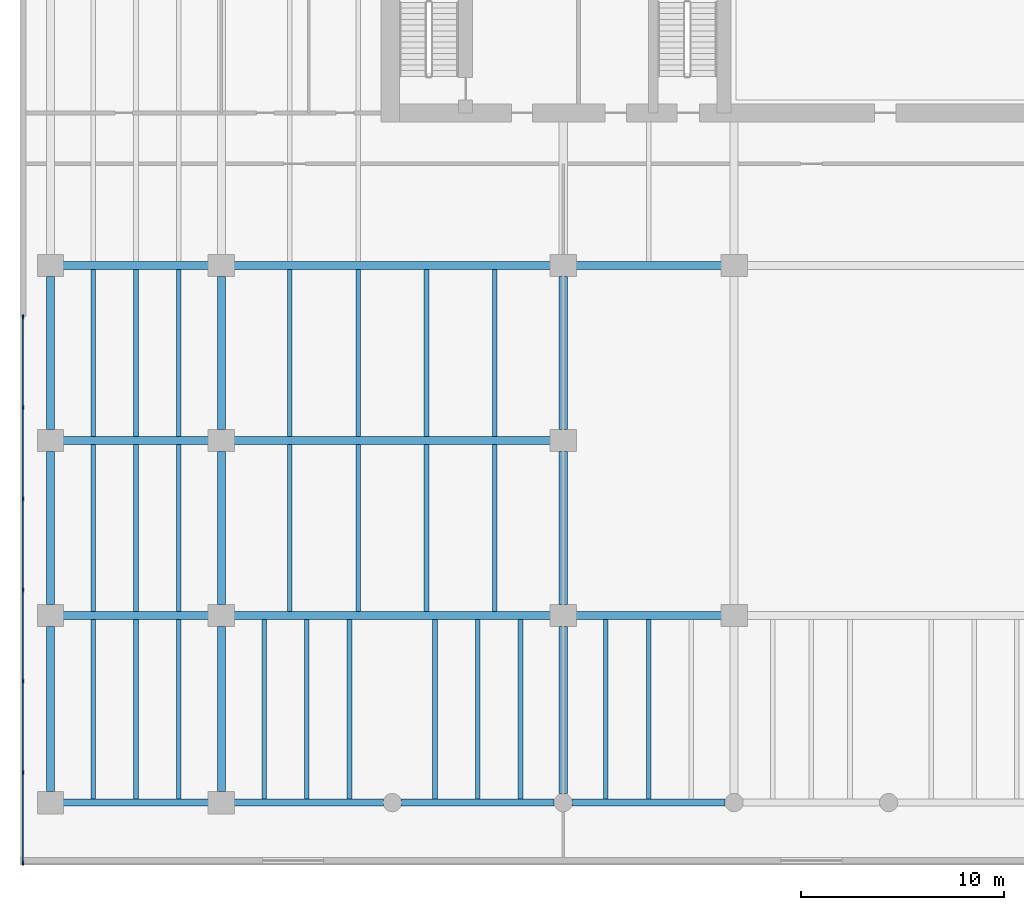
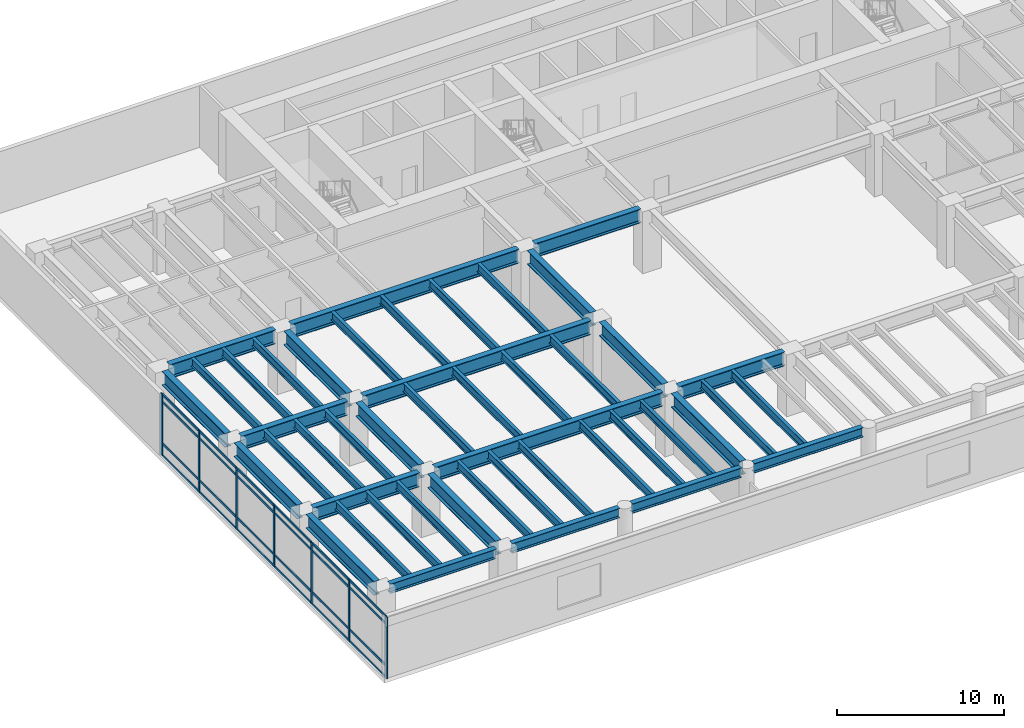
# One storey, part 2 of 13: 46 beams, 31 members, 1 element without a shape of its own.
"""IFC4 building model written with IfcOpenShell, lengths in metres."""

from ifc_helpers import new_model, si_unit, direction, frame, origin, origin_2d, place, context, subcontext, project, spatial, rectangle, i_section, extrude, material, layer, layer_set, material_profile, profile_set, type_object, element, aggregate, save


model = new_model("IFC4")

# Units and contexts
model_context = context("Model", 3, precision=1e-05, world=origin(), true_north=direction((0.0, 1.0)))
body_context = subcontext(model_context, "Body", "Model", "MODEL_VIEW")
ifc_project = project(units=[si_unit("LENGTHUNIT", "METRE"), si_unit("AREAUNIT", "SQUARE_METRE"), si_unit("VOLUMEUNIT", "CUBIC_METRE"), si_unit("PLANEANGLEUNIT", "RADIAN"), si_unit("MASSUNIT", "GRAM", prefix="KILO")], contexts=[model_context])

# Site, building, storey
site_placement = place(None, origin())
site = spatial("IfcSite", under=ifc_project, at=site_placement, CompositionType="ELEMENT")
building_placement = place(site_placement, origin())
building = spatial("IfcBuilding", under=site, at=building_placement, Name="Caelmar Bay Residences", CompositionType="ELEMENT")
storey_placement = place(building_placement, frame((0.0, 0.0, 5.39990234375)))
storey = spatial("IfcBuildingStorey", under=building, at=storey_placement, Name="L01", CompositionType="ELEMENT", Elevation=5.39990234375)

# Beams
ifc_material_1 = material(Name="Steel ASTM A992 Grade 50", Category="steel")
ifc_material_profile_1 = material_profile(ifc_material_1, i_section(OverallWidth=0.404052734375, OverallDepth=1.02099609375, WebThickness=0.025390625, FlangeThickness=0.0458984375, FilletRadius=0.02294921875, at=origin_2d()), Name="W40X324")
ifc_profile_set_1 = profile_set([ifc_material_profile_1], Name="Steel ASTM A992 Grade 50")
beam_type_1 = type_object("IfcBeamType", Name="BM-GRD-W40X324", PredefinedType="BEAM", material=ifc_profile_set_1)
beam_1_placement = place(storey_placement, frame((2.0400390625, 12.199951171875, 3.989501953125), z_axis=(1.0, 0.0, 0.0), x_axis=(0.0, 1.0, 0.0)))
element("IfcBeam", 1, at=beam_1_placement, inside=storey, type_object=beam_type_1, Name="L01 East-West Girder Y=12.20 (1.5-9.9)", PredefinedType="BEAM", context=body_context, shape_type="SweptSolid", body=[
    extrude(i_section(OverallWidth=0.404052734375, OverallDepth=1.02099609375, WebThickness=0.025390625, FlangeThickness=0.0458984375, FilletRadius=0.02294921875, at=origin_2d()), origin(), (0.0, 0.0, 1.0), 7.320068359375),
])
beam_2_placement = place(storey_placement, frame((10.43994140625, 12.199951171875, 3.989501953125), z_axis=(1.0, 0.0, 0.0), x_axis=(0.0, 1.0, 0.0)))
element("IfcBeam", 2, at=beam_2_placement, inside=storey, type_object=beam_type_1, Name="L01 East-West Girder Y=12.20 (9.9-26.7)", PredefinedType="BEAM", context=body_context, shape_type="SweptSolid", body=[
    extrude(i_section(OverallWidth=0.404052734375, OverallDepth=1.02099609375, WebThickness=0.025390625, FlangeThickness=0.0458984375, FilletRadius=0.02294921875, at=origin_2d()), origin(), (0.0, 0.0, 1.0), 15.719970703125),
])
for number, where, z_axis, x_axis, name in (
    (3, (27.239990234375, 12.199951171875, 3.989501953125), (1.0, 0.0, 0.0), (0.0, 1.0, 0.0), "L01 East-West Girder Y=12.20 (26.7-35.1)"),
    (4, (2.0400390625, 20.800048828125, 3.989501953125), (1.0, 0.0, 0.0), (0.0, 1.0, 0.0), "L01 East-West Girder Y=20.80 (1.5-9.9)"),
):
    element("IfcBeam", number, at=place(storey_placement, frame(where, z_axis=z_axis, x_axis=x_axis)), inside=storey, type_object=beam_type_1, Name=name, PredefinedType="BEAM", context=body_context, shape_type="SweptSolid", body=[
        extrude(i_section(OverallWidth=0.404052734375, OverallDepth=1.02099609375, WebThickness=0.025390625, FlangeThickness=0.0458984375, FilletRadius=0.02294921875, at=origin_2d()), origin(), (0.0, 0.0, 1.0), 7.320068359375),
    ])
beam_3_placement = place(storey_placement, frame((10.43994140625, 20.800048828125, 3.989501953125), z_axis=(1.0, 0.0, 0.0), x_axis=(0.0, 1.0, 0.0)))
element("IfcBeam", 5, at=beam_3_placement, inside=storey, type_object=beam_type_1, Name="L01 East-West Girder Y=20.80 (9.9-26.7)", PredefinedType="BEAM", context=body_context, shape_type="SweptSolid", body=[
    extrude(i_section(OverallWidth=0.404052734375, OverallDepth=1.02099609375, WebThickness=0.025390625, FlangeThickness=0.0458984375, FilletRadius=0.02294921875, at=origin_2d()), origin(), (0.0, 0.0, 1.0), 15.719970703125),
])
beam_4_placement = place(storey_placement, frame((2.0400390625, 29.39990234375, 3.989501953125), z_axis=(1.0, 0.0, 0.0), x_axis=(0.0, 1.0, 0.0)))
element("IfcBeam", 6, at=beam_4_placement, inside=storey, type_object=beam_type_1, Name="L01 East-West Girder Y=29.40 (1.5-9.9)", PredefinedType="BEAM", context=body_context, shape_type="SweptSolid", body=[
    extrude(i_section(OverallWidth=0.404052734375, OverallDepth=1.02099609375, WebThickness=0.025390625, FlangeThickness=0.0458984375, FilletRadius=0.02294921875, at=origin_2d()), origin(), (0.0, 0.0, 1.0), 7.320068359375),
])
beam_5_placement = place(storey_placement, frame((10.43994140625, 29.39990234375, 3.989501953125), z_axis=(1.0, 0.0, 0.0), x_axis=(0.0, 1.0, 0.0)))
element("IfcBeam", 7, at=beam_5_placement, inside=storey, type_object=beam_type_1, Name="L01 East-West Girder Y=29.40 (9.9-26.7)", PredefinedType="BEAM", context=body_context, shape_type="SweptSolid", body=[
    extrude(i_section(OverallWidth=0.404052734375, OverallDepth=1.02099609375, WebThickness=0.025390625, FlangeThickness=0.0458984375, FilletRadius=0.02294921875, at=origin_2d()), origin(), (0.0, 0.0, 1.0), 15.719970703125),
])
beam_6_placement = place(storey_placement, frame((27.239990234375, 29.39990234375, 3.989501953125), z_axis=(1.0, 0.0, 0.0), x_axis=(0.0, 1.0, 0.0)))
element("IfcBeam", 8, at=beam_6_placement, inside=storey, type_object=beam_type_1, Name="L01 East-West Girder Y=29.40 (26.7-35.1)", PredefinedType="BEAM", context=body_context, shape_type="SweptSolid", body=[
    extrude(i_section(OverallWidth=0.404052734375, OverallDepth=1.02099609375, WebThickness=0.025390625, FlangeThickness=0.0458984375, FilletRadius=0.02294921875, at=origin_2d()), origin(), (0.0, 0.0, 1.0), 7.320068359375),
])
beam_7_placement = place(storey_placement, frame((1.5, 3.5400390625, 3.989501953125), z_axis=(0.0, 1.0, 0.0), x_axis=(-1.0, 0.0, 0.0)))
element("IfcBeam", 9, at=beam_7_placement, inside=storey, type_object=beam_type_1, Name="L01 North-South Girder X=1.50 (3.0-12.2)", PredefinedType="BEAM", context=body_context, shape_type="SweptSolid", body=[
    extrude(i_section(OverallWidth=0.404052734375, OverallDepth=1.02099609375, WebThickness=0.025390625, FlangeThickness=0.0458984375, FilletRadius=0.02294921875, at=origin_2d()), origin(), (0.0, 0.0, 1.0), 8.119873046875),
])
for number, where, z_axis, x_axis, name in (
    (10, (1.5, 12.739990234375, 3.989501953125), (0.0, 1.0, 0.0), (-1.0, 0.0, 0.0), "L01 North-South Girder X=1.50 (12.2-20.8)"),
    (11, (1.5, 21.340087890625, 3.989501953125), (0.0, 1.0, 0.0), (-1.0, 0.0, 0.0), "L01 North-South Girder X=1.50 (20.8-29.4)"),
):
    element("IfcBeam", number, at=place(storey_placement, frame(where, z_axis=z_axis, x_axis=x_axis)), inside=storey, type_object=beam_type_1, Name=name, PredefinedType="BEAM", context=body_context, shape_type="SweptSolid", body=[
        extrude(i_section(OverallWidth=0.404052734375, OverallDepth=1.02099609375, WebThickness=0.025390625, FlangeThickness=0.0458984375, FilletRadius=0.02294921875, at=origin_2d()), origin(), (0.0, 0.0, 1.0), 7.52001953125),
    ])
beam_8_placement = place(storey_placement, frame((9.89990234375, 3.5400390625, 3.989501953125), z_axis=(0.0, 1.0, 0.0), x_axis=(-1.0, 0.0, 0.0)))
element("IfcBeam", 12, at=beam_8_placement, inside=storey, type_object=beam_type_1, Name="L01 North-South Girder X=9.90 (3.0-12.2)", PredefinedType="BEAM", context=body_context, shape_type="SweptSolid", body=[
    extrude(i_section(OverallWidth=0.404052734375, OverallDepth=1.02099609375, WebThickness=0.025390625, FlangeThickness=0.0458984375, FilletRadius=0.02294921875, at=origin_2d()), origin(), (0.0, 0.0, 1.0), 8.119873046875),
])
for number, where, z_axis, x_axis, name in (
    (13, (9.89990234375, 12.739990234375, 3.989501953125), (0.0, 1.0, 0.0), (-1.0, 0.0, 0.0), "L01 North-South Girder X=9.90 (12.2-20.8)"),
    (14, (9.89990234375, 21.340087890625, 3.989501953125), (0.0, 1.0, 0.0), (-1.0, 0.0, 0.0), "L01 North-South Girder X=9.90 (20.8-29.4)"),
):
    element("IfcBeam", number, at=place(storey_placement, frame(where, z_axis=z_axis, x_axis=x_axis)), inside=storey, type_object=beam_type_1, Name=name, PredefinedType="BEAM", context=body_context, shape_type="SweptSolid", body=[
        extrude(i_section(OverallWidth=0.404052734375, OverallDepth=1.02099609375, WebThickness=0.025390625, FlangeThickness=0.0458984375, FilletRadius=0.02294921875, at=origin_2d()), origin(), (0.0, 0.0, 1.0), 7.52001953125),
    ])
beam_9_placement = place(storey_placement, frame((26.699951171875, 3.43994140625, 3.989501953125), z_axis=(0.0, 1.0, 0.0), x_axis=(-1.0, 0.0, 0.0)))
element("IfcBeam", 15, at=beam_9_placement, inside=storey, type_object=beam_type_1, Name="L01 North-South Girder X=26.70 (3.0-12.2)", PredefinedType="BEAM", context=body_context, shape_type="SweptSolid", body=[
    extrude(i_section(OverallWidth=0.404052734375, OverallDepth=1.02099609375, WebThickness=0.025390625, FlangeThickness=0.0458984375, FilletRadius=0.02294921875, at=origin_2d()), origin(), (0.0, 0.0, 1.0), 8.219970703125),
])
for number, where, z_axis, x_axis, name in (
    (16, (26.699951171875, 12.739990234375, 3.989501953125), (0.0, 1.0, 0.0), (-1.0, 0.0, 0.0), "L01 North-South Girder X=26.70 (12.2-20.8)"),
    (17, (26.699951171875, 21.340087890625, 3.989501953125), (0.0, 1.0, 0.0), (-1.0, 0.0, 0.0), "L01 North-South Girder X=26.70 (20.8-29.4)"),
):
    element("IfcBeam", number, at=place(storey_placement, frame(where, z_axis=z_axis, x_axis=x_axis)), inside=storey, type_object=beam_type_1, Name=name, PredefinedType="BEAM", context=body_context, shape_type="SweptSolid", body=[
        extrude(i_section(OverallWidth=0.404052734375, OverallDepth=1.02099609375, WebThickness=0.025390625, FlangeThickness=0.0458984375, FilletRadius=0.02294921875, at=origin_2d()), origin(), (0.0, 0.0, 1.0), 7.52001953125),
    ])
ifc_material_profile_2 = material_profile(ifc_material_1, i_section(OverallWidth=0.22900390625, OverallDepth=0.612060546875, WebThickness=0.011962890625, FlangeThickness=0.01953125, FilletRadius=0.0126953125, at=origin_2d()), Name="W24X84")
ifc_profile_set_2 = profile_set([ifc_material_profile_2], Name="Steel ASTM A992 Grade 50")
beam_type_2 = type_object("IfcBeamType", Name="BM-JST-W24X84", PredefinedType="JOIST", material=ifc_profile_set_2)
for number, where, z_axis, x_axis, name in (
    (18, (3.60009765625, 3.177978515625, 4.194091796875), (0.0, 1.0, 0.0), (-1.0, 0.0, 0.0), "L01 Composite Floor Joist 1"),
    (19, (5.699951171875, 3.177978515625, 4.194091796875), (0.0, 1.0, 0.0), (-1.0, 0.0, 0.0), "L01 Composite Floor Joist 2"),
    (20, (7.800048828125, 3.177978515625, 4.194091796875), (0.0, 1.0, 0.0), (-1.0, 0.0, 0.0), "L01 Composite Floor Joist 3"),
    (21, (12.0, 3.177978515625, 4.194091796875), (0.0, 1.0, 0.0), (-1.0, 0.0, 0.0), "L01 Composite Floor Joist 4"),
    (22, (14.10009765625, 3.177978515625, 4.194091796875), (0.0, 1.0, 0.0), (-1.0, 0.0, 0.0), "L01 Composite Floor Joist 5"),
    (23, (16.199951171875, 3.177978515625, 4.194091796875), (0.0, 1.0, 0.0), (-1.0, 0.0, 0.0), "L01 Composite Floor Joist 6"),
    (24, (20.39990234375, 3.177978515625, 4.194091796875), (0.0, 1.0, 0.0), (-1.0, 0.0, 0.0), "L01 Composite Floor Joist 7"),
    (25, (22.5, 3.177978515625, 4.194091796875), (0.0, 1.0, 0.0), (-1.0, 0.0, 0.0), "L01 Composite Floor Joist 8"),
    (26, (24.60009765625, 3.177978515625, 4.194091796875), (0.0, 1.0, 0.0), (-1.0, 0.0, 0.0), "L01 Composite Floor Joist 9"),
    (27, (28.800048828125, 3.177978515625, 4.194091796875), (0.0, 1.0, 0.0), (-1.0, 0.0, 0.0), "L01 Composite Floor Joist 10"),
    (28, (30.89990234375, 3.177978515625, 4.194091796875), (0.0, 1.0, 0.0), (-1.0, 0.0, 0.0), "L01 Composite Floor Joist 11"),
):
    element("IfcBeam", number, at=place(storey_placement, frame(where, z_axis=z_axis, x_axis=x_axis)), inside=storey, type_object=beam_type_2, Name=name, PredefinedType="JOIST", context=body_context, shape_type="SweptSolid", body=[
        extrude(i_section(OverallWidth=0.22900390625, OverallDepth=0.612060546875, WebThickness=0.011962890625, FlangeThickness=0.01953125, FilletRadius=0.0126953125, at=origin_2d()), origin(), (0.0, 0.0, 1.0), 8.820068359375),
    ])
for number, where, z_axis, x_axis, name in (
    (29, (3.60009765625, 12.402099609375, 4.194091796875), (0.0, 1.0, 0.0), (-1.0, 0.0, 0.0), "L01 Composite Floor Joist 28"),
    (30, (5.699951171875, 12.402099609375, 4.194091796875), (0.0, 1.0, 0.0), (-1.0, 0.0, 0.0), "L01 Composite Floor Joist 29"),
    (31, (7.800048828125, 12.402099609375, 4.194091796875), (0.0, 1.0, 0.0), (-1.0, 0.0, 0.0), "L01 Composite Floor Joist 30"),
    (32, (13.260009765625, 12.402099609375, 4.194091796875), (0.0, 1.0, 0.0), (-1.0, 0.0, 0.0), "L01 Composite Floor Joist 31"),
    (33, (16.6201171875, 12.402099609375, 4.194091796875), (0.0, 1.0, 0.0), (-1.0, 0.0, 0.0), "L01 Composite Floor Joist 32"),
    (34, (19.97998046875, 12.402099609375, 4.194091796875), (0.0, 1.0, 0.0), (-1.0, 0.0, 0.0), "L01 Composite Floor Joist 33"),
    (35, (23.340087890625, 12.402099609375, 4.194091796875), (0.0, 1.0, 0.0), (-1.0, 0.0, 0.0), "L01 Composite Floor Joist 34"),
):
    element("IfcBeam", number, at=place(storey_placement, frame(where, z_axis=z_axis, x_axis=x_axis)), inside=storey, type_object=beam_type_2, Name=name, PredefinedType="JOIST", context=body_context, shape_type="SweptSolid", body=[
        extrude(i_section(OverallWidth=0.22900390625, OverallDepth=0.612060546875, WebThickness=0.011962890625, FlangeThickness=0.01953125, FilletRadius=0.0126953125, at=origin_2d()), origin(), (0.0, 0.0, 1.0), 8.19580078125),
    ])
for number, where, z_axis, x_axis, name in (
    (36, (3.60009765625, 21.001953125, 4.194091796875), (0.0, 1.0, 0.0), (-1.0, 0.0, 0.0), "L01 Composite Floor Joist 42"),
    (37, (5.699951171875, 21.001953125, 4.194091796875), (0.0, 1.0, 0.0), (-1.0, 0.0, 0.0), "L01 Composite Floor Joist 43"),
    (38, (7.800048828125, 21.001953125, 4.194091796875), (0.0, 1.0, 0.0), (-1.0, 0.0, 0.0), "L01 Composite Floor Joist 44"),
    (39, (13.260009765625, 21.001953125, 4.194091796875), (0.0, 1.0, 0.0), (-1.0, 0.0, 0.0), "L01 Composite Floor Joist 45"),
    (40, (16.6201171875, 21.001953125, 4.194091796875), (0.0, 1.0, 0.0), (-1.0, 0.0, 0.0), "L01 Composite Floor Joist 46"),
    (41, (19.97998046875, 21.001953125, 4.194091796875), (0.0, 1.0, 0.0), (-1.0, 0.0, 0.0), "L01 Composite Floor Joist 47"),
    (42, (23.340087890625, 21.001953125, 4.194091796875), (0.0, 1.0, 0.0), (-1.0, 0.0, 0.0), "L01 Composite Floor Joist 48"),
):
    element("IfcBeam", number, at=place(storey_placement, frame(where, z_axis=z_axis, x_axis=x_axis)), inside=storey, type_object=beam_type_2, Name=name, PredefinedType="JOIST", context=body_context, shape_type="SweptSolid", body=[
        extrude(i_section(OverallWidth=0.22900390625, OverallDepth=0.612060546875, WebThickness=0.011962890625, FlangeThickness=0.01953125, FilletRadius=0.0126953125, at=origin_2d()), origin(), (0.0, 0.0, 1.0), 8.196044921875),
    ])
ifc_material_profile_3 = material_profile(ifc_material_1, i_section(OverallWidth=0.35595703125, OverallDepth=0.696044921875, WebThickness=0.015380859375, FlangeThickness=0.02490234375, FilletRadius=0.01513671875, at=origin_2d()), Name="W27X146")
ifc_profile_set_3 = profile_set([ifc_material_profile_3], Name="Steel ASTM A992 Grade 50")
beam_type_3 = type_object("IfcBeamType", Name="BM-SPN-W27X146", PredefinedType="SPANDREL", material=ifc_profile_set_3)
beam_10_placement = place(storey_placement, frame((2.0400390625, 3.0, 4.152099609375), z_axis=(1.0, 0.0, 0.0), x_axis=(0.0, 1.0, 0.0)))
element("IfcBeam", 43, at=beam_10_placement, inside=storey, type_object=beam_type_3, Name="L01 East-West Girder Y=3.00 (1.5-9.9)", PredefinedType="SPANDREL", context=body_context, shape_type="SweptSolid", body=[
    extrude(i_section(OverallWidth=0.35595703125, OverallDepth=0.696044921875, WebThickness=0.015380859375, FlangeThickness=0.02490234375, FilletRadius=0.01513671875, at=origin_2d()), origin(), (0.0, 0.0, 1.0), 7.320068359375),
])
beam_11_placement = place(storey_placement, frame((10.43994140625, 3.0, 4.152099609375), z_axis=(1.0, 0.0, 0.0), x_axis=(0.0, 1.0, 0.0)))
element("IfcBeam", 44, at=beam_11_placement, inside=storey, type_object=beam_type_3, Name="L01 East-West Girder Y=3.00 (9.9-18.3)", PredefinedType="SPANDREL", context=body_context, shape_type="SweptSolid", body=[
    extrude(i_section(OverallWidth=0.35595703125, OverallDepth=0.696044921875, WebThickness=0.015380859375, FlangeThickness=0.02490234375, FilletRadius=0.01513671875, at=origin_2d()), origin(), (0.0, 0.0, 1.0), 7.420166015625),
])
for number, where, z_axis, x_axis, name in (
    (45, (18.739990234375, 3.0, 4.152099609375), (1.0, 0.0, 0.0), (0.0, 1.0, 0.0), "L01 East-West Girder Y=3.00 (18.3-26.7)"),
    (46, (27.139892578125, 3.0, 4.152099609375), (1.0, 0.0, 0.0), (0.0, 1.0, 0.0), "L01 East-West Girder Y=3.00 (26.7-35.1)"),
):
    element("IfcBeam", number, at=place(storey_placement, frame(where, z_axis=z_axis, x_axis=x_axis)), inside=storey, type_object=beam_type_3, Name=name, PredefinedType="SPANDREL", context=body_context, shape_type="SweptSolid", body=[
        extrude(i_section(OverallWidth=0.35595703125, OverallDepth=0.696044921875, WebThickness=0.015380859375, FlangeThickness=0.02490234375, FilletRadius=0.01513671875, at=origin_2d()), origin(), (0.0, 0.0, 1.0), 7.52001953125),
    ])

# Curtain wall, members
ifc_material_2 = material(Name="Anodised bronze aluminium 6063-T6 and laminated glass", Category="aluminium")
ifc_layer = layer(ifc_material_2, 0.179931640625)
ifc_layer_set = layer_set([ifc_layer], Name="Anodised bronze aluminium 6063-T6 and laminated glass")
curtain_wall_type = type_object("IfcCurtainWallType", Name="CW1-POD", PredefinedType="NOTDEFINED", material=ifc_layer_set)
curtain_wall_placement = place(storey_placement, origin())
curtain_wall = element("IfcCurtainWall", 47, at=curtain_wall_placement, inside=storey, type_object=curtain_wall_type, Name="CW1 curtain wall L01", PredefinedType="NOTDEFINED")
ifc_material_3 = material(Name="Anodised bronze aluminium 6063-T6", Category="aluminium")
ifc_material_profile_4 = material_profile(ifc_material_3, rectangle(XDim=0.080078125, YDim=0.219970703125, at=origin_2d()), Name="CWM-80X220")
ifc_profile_set_4 = profile_set([ifc_material_profile_4], Name="Anodised bronze aluminium 6063-T6")
member_type_1 = type_object("IfcMemberType", Name="CWM-220", PredefinedType="MULLION", material=ifc_profile_set_4)
member_1_placement = place(storey_placement, frame((0.14990234375, 0.0400390625, 0.0), z_axis=(0.0, 0.0, 1.0), x_axis=(-1.0, 0.0, 0.0)))
member_1 = element("IfcMember", 48, at=member_1_placement, type_object=member_type_1, Name="CW1 mullion 1", PredefinedType="MULLION", context=body_context, shape_type="SweptSolid", body=[
    extrude(rectangle(XDim=0.080078125, YDim=0.219970703125, at=origin_2d()), origin(), (0.0, 0.0, 1.0), 4.5),
])
member_2_placement = place(storey_placement, frame((0.14990234375, 4.4833984375, 0.0), z_axis=(0.0, 0.0, 1.0), x_axis=(-1.0, 0.0, 0.0)))
member_2 = element("IfcMember", 49, at=member_2_placement, type_object=member_type_1, Name="CW1 mullion 2", PredefinedType="MULLION", context=body_context, shape_type="SweptSolid", body=[
    extrude(rectangle(XDim=0.080078125, YDim=0.219970703125, at=origin_2d()), origin(), (0.0, 0.0, 1.0), 4.5),
])
member_3_placement = place(storey_placement, frame((0.14990234375, 8.966552734375, 0.0), z_axis=(0.0, 0.0, 1.0), x_axis=(-1.0, 0.0, 0.0)))
member_3 = element("IfcMember", 50, at=member_3_placement, type_object=member_type_1, Name="CW1 mullion 3", PredefinedType="MULLION", context=body_context, shape_type="SweptSolid", body=[
    extrude(rectangle(XDim=0.080078125, YDim=0.219970703125, at=origin_2d()), origin(), (0.0, 0.0, 1.0), 4.5),
])
member_4_placement = place(storey_placement, frame((0.14990234375, 13.449951171875, 0.0), z_axis=(0.0, 0.0, 1.0), x_axis=(-1.0, 0.0, 0.0)))
member_4 = element("IfcMember", 51, at=member_4_placement, type_object=member_type_1, Name="CW1 mullion 4", PredefinedType="MULLION", context=body_context, shape_type="SweptSolid", body=[
    extrude(rectangle(XDim=0.080078125, YDim=0.219970703125, at=origin_2d()), origin(), (0.0, 0.0, 1.0), 4.5),
])
member_5_placement = place(storey_placement, frame((0.14990234375, 17.933349609375, 0.0), z_axis=(0.0, 0.0, 1.0), x_axis=(-1.0, 0.0, 0.0)))
member_5 = element("IfcMember", 52, at=member_5_placement, type_object=member_type_1, Name="CW1 mullion 5", PredefinedType="MULLION", context=body_context, shape_type="SweptSolid", body=[
    extrude(rectangle(XDim=0.080078125, YDim=0.219970703125, at=origin_2d()), origin(), (0.0, 0.0, 1.0), 4.5),
])
member_6_placement = place(storey_placement, frame((0.14990234375, 22.416748046875, 0.0), z_axis=(0.0, 0.0, 1.0), x_axis=(-1.0, 0.0, 0.0)))
member_6 = element("IfcMember", 53, at=member_6_placement, type_object=member_type_1, Name="CW1 mullion 6", PredefinedType="MULLION", context=body_context, shape_type="SweptSolid", body=[
    extrude(rectangle(XDim=0.080078125, YDim=0.219970703125, at=origin_2d()), origin(), (0.0, 0.0, 1.0), 4.5),
])
member_7_placement = place(storey_placement, frame((0.14990234375, 26.860107421875, 0.0), z_axis=(0.0, 0.0, 1.0), x_axis=(-1.0, 0.0, 0.0)))
member_7 = element("IfcMember", 54, at=member_7_placement, type_object=member_type_1, Name="CW1 mullion 7", PredefinedType="MULLION", context=body_context, shape_type="SweptSolid", body=[
    extrude(rectangle(XDim=0.080078125, YDim=0.219970703125, at=origin_2d()), origin(), (0.0, 0.0, 1.0), 4.5),
])
ifc_material_profile_5 = material_profile(ifc_material_3, rectangle(XDim=0.080078125, YDim=0.159912109375, at=origin_2d()), Name="CWT-80X160")
ifc_profile_set_5 = profile_set([ifc_material_profile_5], Name="Anodised bronze aluminium 6063-T6")
member_type_2 = type_object("IfcMemberType", Name="CWT-160", PredefinedType="NOTDEFINED", material=ifc_profile_set_5)
member_8_placement = place(storey_placement, frame((0.14990234375, 0.080078125, 0.0400390625), z_axis=(0.0, 1.0, 0.0), x_axis=(-1.0, 0.0, 0.0)))
member_8 = element("IfcMember", 55, at=member_8_placement, type_object=member_type_2, Name="CW1 transom 1.1", ObjectType="TRANSOM", PredefinedType="USERDEFINED", context=body_context, shape_type="SweptSolid", body=[
    extrude(rectangle(XDim=0.080078125, YDim=0.159912109375, at=origin_2d()), origin(), (0.0, 0.0, 1.0), 4.36328125),
])
member_9_placement = place(storey_placement, frame((0.14990234375, 0.080078125, 0.900146484375), z_axis=(0.0, 1.0, 0.0), x_axis=(-1.0, 0.0, 0.0)))
member_9 = element("IfcMember", 56, at=member_9_placement, type_object=member_type_2, Name="CW1 transom 1.2", ObjectType="TRANSOM", PredefinedType="USERDEFINED", context=body_context, shape_type="SweptSolid", body=[
    extrude(rectangle(XDim=0.080078125, YDim=0.159912109375, at=origin_2d()), origin(), (0.0, 0.0, 1.0), 4.36328125),
])
member_10_placement = place(storey_placement, frame((0.14990234375, 0.080078125, 3.9501953125), z_axis=(0.0, 1.0, 0.0), x_axis=(-1.0, 0.0, 0.0)))
member_10 = element("IfcMember", 57, at=member_10_placement, type_object=member_type_2, Name="CW1 transom 1.3", ObjectType="TRANSOM", PredefinedType="USERDEFINED", context=body_context, shape_type="SweptSolid", body=[
    extrude(rectangle(XDim=0.080078125, YDim=0.159912109375, at=origin_2d()), origin(), (0.0, 0.0, 1.0), 4.36328125),
])
member_11_placement = place(storey_placement, frame((0.14990234375, 0.080078125, 4.460205078125), z_axis=(0.0, 1.0, 0.0), x_axis=(-1.0, 0.0, 0.0)))
member_11 = element("IfcMember", 58, at=member_11_placement, type_object=member_type_2, Name="CW1 transom 1.4", ObjectType="TRANSOM", PredefinedType="USERDEFINED", context=body_context, shape_type="SweptSolid", body=[
    extrude(rectangle(XDim=0.080078125, YDim=0.159912109375, at=origin_2d()), origin(), (0.0, 0.0, 1.0), 4.36328125),
])
member_12_placement = place(storey_placement, frame((0.14990234375, 4.5234375, 0.0400390625), z_axis=(0.0, 1.0, 0.0), x_axis=(-1.0, 0.0, 0.0)))
member_12 = element("IfcMember", 59, at=member_12_placement, type_object=member_type_2, Name="CW1 transom 2.1", ObjectType="TRANSOM", PredefinedType="USERDEFINED", context=body_context, shape_type="SweptSolid", body=[
    extrude(rectangle(XDim=0.080078125, YDim=0.159912109375, at=origin_2d()), origin(), (0.0, 0.0, 1.0), 4.4033203125),
])
member_13_placement = place(storey_placement, frame((0.14990234375, 4.5234375, 0.900146484375), z_axis=(0.0, 1.0, 0.0), x_axis=(-1.0, 0.0, 0.0)))
member_13 = element("IfcMember", 60, at=member_13_placement, type_object=member_type_2, Name="CW1 transom 2.2", ObjectType="TRANSOM", PredefinedType="USERDEFINED", context=body_context, shape_type="SweptSolid", body=[
    extrude(rectangle(XDim=0.080078125, YDim=0.159912109375, at=origin_2d()), origin(), (0.0, 0.0, 1.0), 4.4033203125),
])
member_14_placement = place(storey_placement, frame((0.14990234375, 4.5234375, 3.9501953125), z_axis=(0.0, 1.0, 0.0), x_axis=(-1.0, 0.0, 0.0)))
member_14 = element("IfcMember", 61, at=member_14_placement, type_object=member_type_2, Name="CW1 transom 2.3", ObjectType="TRANSOM", PredefinedType="USERDEFINED", context=body_context, shape_type="SweptSolid", body=[
    extrude(rectangle(XDim=0.080078125, YDim=0.159912109375, at=origin_2d()), origin(), (0.0, 0.0, 1.0), 4.4033203125),
])
member_15_placement = place(storey_placement, frame((0.14990234375, 4.5234375, 4.460205078125), z_axis=(0.0, 1.0, 0.0), x_axis=(-1.0, 0.0, 0.0)))
member_15 = element("IfcMember", 62, at=member_15_placement, type_object=member_type_2, Name="CW1 transom 2.4", ObjectType="TRANSOM", PredefinedType="USERDEFINED", context=body_context, shape_type="SweptSolid", body=[
    extrude(rectangle(XDim=0.080078125, YDim=0.159912109375, at=origin_2d()), origin(), (0.0, 0.0, 1.0), 4.4033203125),
])
member_16_placement = place(storey_placement, frame((0.14990234375, 9.006591796875, 0.0400390625), z_axis=(0.0, 1.0, 0.0), x_axis=(-1.0, 0.0, 0.0)))
member_16 = element("IfcMember", 63, at=member_16_placement, type_object=member_type_2, Name="CW1 transom 3.1", ObjectType="TRANSOM", PredefinedType="USERDEFINED", context=body_context, shape_type="SweptSolid", body=[
    extrude(rectangle(XDim=0.080078125, YDim=0.159912109375, at=origin_2d()), origin(), (0.0, 0.0, 1.0), 4.4033203125),
])
member_17_placement = place(storey_placement, frame((0.14990234375, 9.006591796875, 0.900146484375), z_axis=(0.0, 1.0, 0.0), x_axis=(-1.0, 0.0, 0.0)))
member_17 = element("IfcMember", 64, at=member_17_placement, type_object=member_type_2, Name="CW1 transom 3.2", ObjectType="TRANSOM", PredefinedType="USERDEFINED", context=body_context, shape_type="SweptSolid", body=[
    extrude(rectangle(XDim=0.080078125, YDim=0.159912109375, at=origin_2d()), origin(), (0.0, 0.0, 1.0), 4.4033203125),
])
member_18_placement = place(storey_placement, frame((0.14990234375, 9.006591796875, 3.9501953125), z_axis=(0.0, 1.0, 0.0), x_axis=(-1.0, 0.0, 0.0)))
member_18 = element("IfcMember", 65, at=member_18_placement, type_object=member_type_2, Name="CW1 transom 3.3", ObjectType="TRANSOM", PredefinedType="USERDEFINED", context=body_context, shape_type="SweptSolid", body=[
    extrude(rectangle(XDim=0.080078125, YDim=0.159912109375, at=origin_2d()), origin(), (0.0, 0.0, 1.0), 4.4033203125),
])
member_19_placement = place(storey_placement, frame((0.14990234375, 9.006591796875, 4.460205078125), z_axis=(0.0, 1.0, 0.0), x_axis=(-1.0, 0.0, 0.0)))
member_19 = element("IfcMember", 66, at=member_19_placement, type_object=member_type_2, Name="CW1 transom 3.4", ObjectType="TRANSOM", PredefinedType="USERDEFINED", context=body_context, shape_type="SweptSolid", body=[
    extrude(rectangle(XDim=0.080078125, YDim=0.159912109375, at=origin_2d()), origin(), (0.0, 0.0, 1.0), 4.4033203125),
])
member_20_placement = place(storey_placement, frame((0.14990234375, 13.489990234375, 0.0400390625), z_axis=(0.0, 1.0, 0.0), x_axis=(-1.0, 0.0, 0.0)))
member_20 = element("IfcMember", 67, at=member_20_placement, type_object=member_type_2, Name="CW1 transom 4.1", ObjectType="TRANSOM", PredefinedType="USERDEFINED", context=body_context, shape_type="SweptSolid", body=[
    extrude(rectangle(XDim=0.080078125, YDim=0.159912109375, at=origin_2d()), origin(), (0.0, 0.0, 1.0), 4.4033203125),
])
member_21_placement = place(storey_placement, frame((0.14990234375, 13.489990234375, 0.900146484375), z_axis=(0.0, 1.0, 0.0), x_axis=(-1.0, 0.0, 0.0)))
member_21 = element("IfcMember", 68, at=member_21_placement, type_object=member_type_2, Name="CW1 transom 4.2", ObjectType="TRANSOM", PredefinedType="USERDEFINED", context=body_context, shape_type="SweptSolid", body=[
    extrude(rectangle(XDim=0.080078125, YDim=0.159912109375, at=origin_2d()), origin(), (0.0, 0.0, 1.0), 4.4033203125),
])
member_22_placement = place(storey_placement, frame((0.14990234375, 13.489990234375, 3.9501953125), z_axis=(0.0, 1.0, 0.0), x_axis=(-1.0, 0.0, 0.0)))
member_22 = element("IfcMember", 69, at=member_22_placement, type_object=member_type_2, Name="CW1 transom 4.3", ObjectType="TRANSOM", PredefinedType="USERDEFINED", context=body_context, shape_type="SweptSolid", body=[
    extrude(rectangle(XDim=0.080078125, YDim=0.159912109375, at=origin_2d()), origin(), (0.0, 0.0, 1.0), 4.4033203125),
])
member_23_placement = place(storey_placement, frame((0.14990234375, 13.489990234375, 4.460205078125), z_axis=(0.0, 1.0, 0.0), x_axis=(-1.0, 0.0, 0.0)))
member_23 = element("IfcMember", 70, at=member_23_placement, type_object=member_type_2, Name="CW1 transom 4.4", ObjectType="TRANSOM", PredefinedType="USERDEFINED", context=body_context, shape_type="SweptSolid", body=[
    extrude(rectangle(XDim=0.080078125, YDim=0.159912109375, at=origin_2d()), origin(), (0.0, 0.0, 1.0), 4.4033203125),
])
member_24_placement = place(storey_placement, frame((0.14990234375, 17.973388671875, 0.0400390625), z_axis=(0.0, 1.0, 0.0), x_axis=(-1.0, 0.0, 0.0)))
member_24 = element("IfcMember", 71, at=member_24_placement, type_object=member_type_2, Name="CW1 transom 5.1", ObjectType="TRANSOM", PredefinedType="USERDEFINED", context=body_context, shape_type="SweptSolid", body=[
    extrude(rectangle(XDim=0.080078125, YDim=0.159912109375, at=origin_2d()), origin(), (0.0, 0.0, 1.0), 4.4033203125),
])
member_25_placement = place(storey_placement, frame((0.14990234375, 17.973388671875, 0.900146484375), z_axis=(0.0, 1.0, 0.0), x_axis=(-1.0, 0.0, 0.0)))
member_25 = element("IfcMember", 72, at=member_25_placement, type_object=member_type_2, Name="CW1 transom 5.2", ObjectType="TRANSOM", PredefinedType="USERDEFINED", context=body_context, shape_type="SweptSolid", body=[
    extrude(rectangle(XDim=0.080078125, YDim=0.159912109375, at=origin_2d()), origin(), (0.0, 0.0, 1.0), 4.4033203125),
])
member_26_placement = place(storey_placement, frame((0.14990234375, 17.973388671875, 3.9501953125), z_axis=(0.0, 1.0, 0.0), x_axis=(-1.0, 0.0, 0.0)))
member_26 = element("IfcMember", 73, at=member_26_placement, type_object=member_type_2, Name="CW1 transom 5.3", ObjectType="TRANSOM", PredefinedType="USERDEFINED", context=body_context, shape_type="SweptSolid", body=[
    extrude(rectangle(XDim=0.080078125, YDim=0.159912109375, at=origin_2d()), origin(), (0.0, 0.0, 1.0), 4.4033203125),
])
member_27_placement = place(storey_placement, frame((0.14990234375, 17.973388671875, 4.460205078125), z_axis=(0.0, 1.0, 0.0), x_axis=(-1.0, 0.0, 0.0)))
member_27 = element("IfcMember", 74, at=member_27_placement, type_object=member_type_2, Name="CW1 transom 5.4", ObjectType="TRANSOM", PredefinedType="USERDEFINED", context=body_context, shape_type="SweptSolid", body=[
    extrude(rectangle(XDim=0.080078125, YDim=0.159912109375, at=origin_2d()), origin(), (0.0, 0.0, 1.0), 4.4033203125),
])
member_28_placement = place(storey_placement, frame((0.14990234375, 22.456787109375, 0.0400390625), z_axis=(0.0, 1.0, 0.0), x_axis=(-1.0, 0.0, 0.0)))
member_28 = element("IfcMember", 75, at=member_28_placement, type_object=member_type_2, Name="CW1 transom 6.1", ObjectType="TRANSOM", PredefinedType="USERDEFINED", context=body_context, shape_type="SweptSolid", body=[
    extrude(rectangle(XDim=0.080078125, YDim=0.159912109375, at=origin_2d()), origin(), (0.0, 0.0, 1.0), 4.36328125),
])
member_29_placement = place(storey_placement, frame((0.14990234375, 22.456787109375, 0.900146484375), z_axis=(0.0, 1.0, 0.0), x_axis=(-1.0, 0.0, 0.0)))
member_29 = element("IfcMember", 76, at=member_29_placement, type_object=member_type_2, Name="CW1 transom 6.2", ObjectType="TRANSOM", PredefinedType="USERDEFINED", context=body_context, shape_type="SweptSolid", body=[
    extrude(rectangle(XDim=0.080078125, YDim=0.159912109375, at=origin_2d()), origin(), (0.0, 0.0, 1.0), 4.36328125),
])
member_30_placement = place(storey_placement, frame((0.14990234375, 22.456787109375, 3.9501953125), z_axis=(0.0, 1.0, 0.0), x_axis=(-1.0, 0.0, 0.0)))
member_30 = element("IfcMember", 77, at=member_30_placement, type_object=member_type_2, Name="CW1 transom 6.3", ObjectType="TRANSOM", PredefinedType="USERDEFINED", context=body_context, shape_type="SweptSolid", body=[
    extrude(rectangle(XDim=0.080078125, YDim=0.159912109375, at=origin_2d()), origin(), (0.0, 0.0, 1.0), 4.36328125),
])
member_31_placement = place(storey_placement, frame((0.14990234375, 22.456787109375, 4.460205078125), z_axis=(0.0, 1.0, 0.0), x_axis=(-1.0, 0.0, 0.0)))
member_31 = element("IfcMember", 78, at=member_31_placement, type_object=member_type_2, Name="CW1 transom 6.4", ObjectType="TRANSOM", PredefinedType="USERDEFINED", context=body_context, shape_type="SweptSolid", body=[
    extrude(rectangle(XDim=0.080078125, YDim=0.159912109375, at=origin_2d()), origin(), (0.0, 0.0, 1.0), 4.36328125),
])
aggregate(curtain_wall, [member_1, member_2, member_3, member_4, member_5, member_6, member_7, member_8, member_9, member_10, member_11, member_12, member_13, member_14, member_15, member_16, member_17, member_18, member_19, member_20, member_21, member_22, member_23, member_24, member_25, member_26, member_27, member_28, member_29, member_30, member_31])

save(model, "model.ifc")
